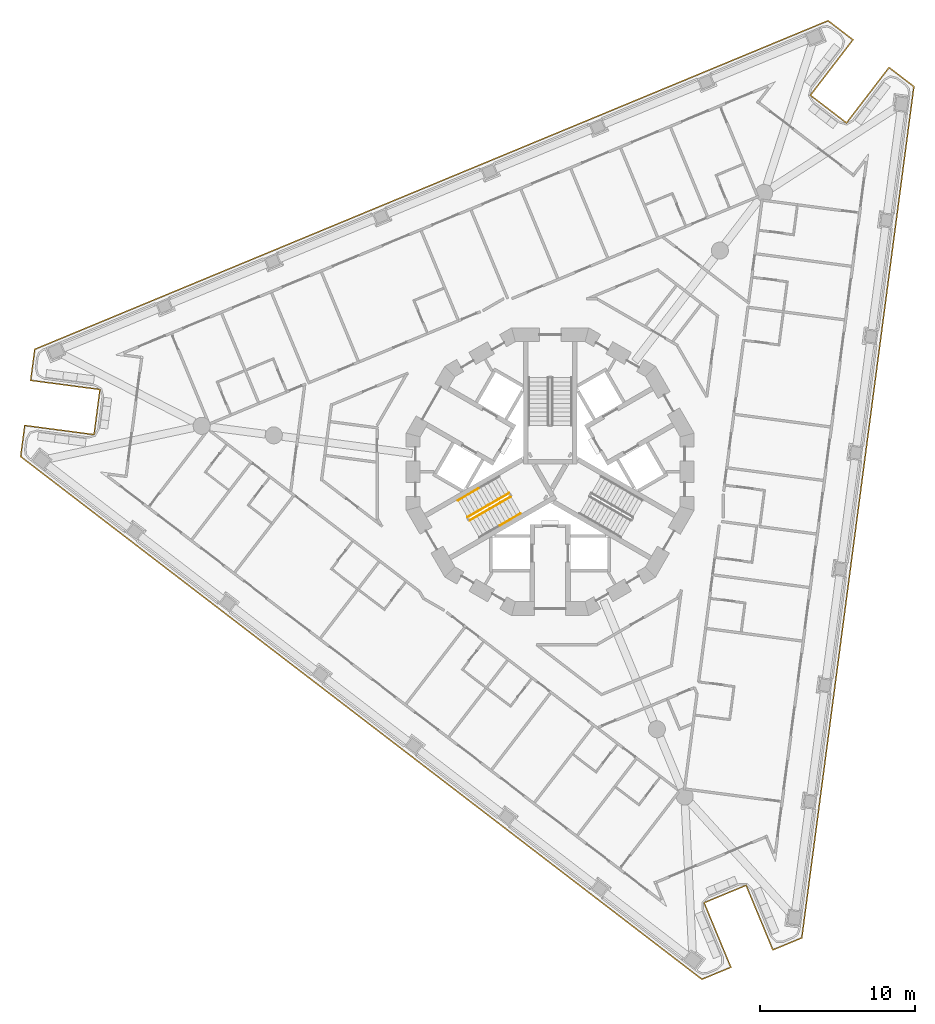
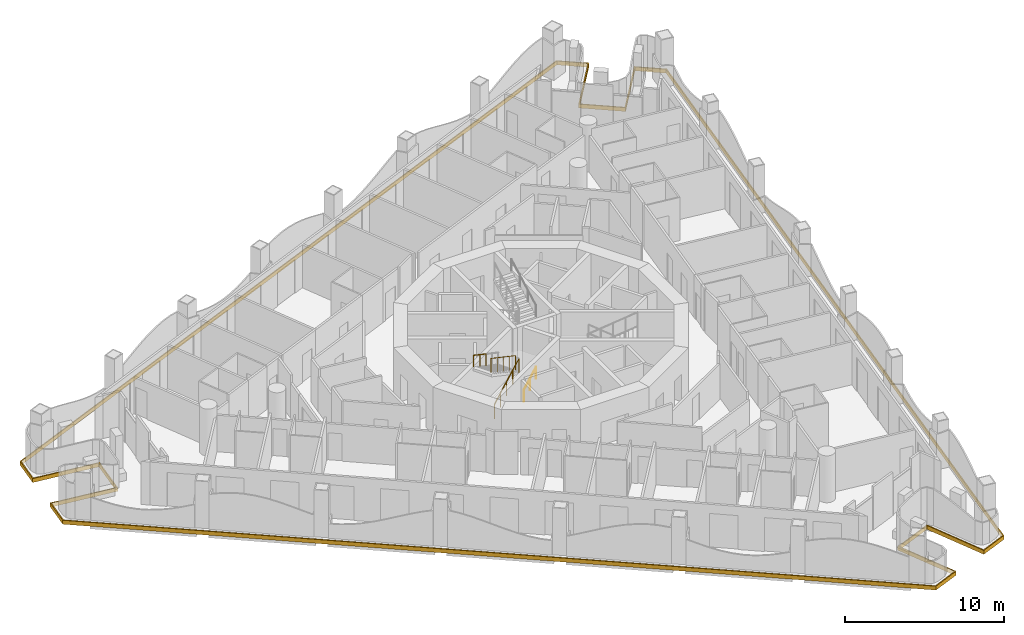
# One storey, part 12 of 17: 4 railings, 1 covering.
"""IFC4 building model written with IfcOpenShell, lengths in metres."""

import ifcopenshell
import ifcopenshell.guid

model = None  # the IFC model being written
_history = None  # IfcOwnerHistory: only IFC2X3 demands one
_inside = {}  # id of a spatial element -> (the spatial element, [elements in it])
_under = {}  # id of a project, library or spatial element -> (it, [spatial elements below it])
_declared = {}  # id of a project -> (the project, [libraries it declares])
_typed = {}  # id of a type object -> (the type object, [elements of that type])
_made_of = {}  # id of a material, layer set ... -> (it, [elements and type objects made of it])


def new_model(schema):
    """Start an empty IFC model of exactly this schema.

    Asked for "IFC4X3", IfcOpenShell would pick the latest addendum, in which some entities
    have other attributes; the version numbers below select the first issue.
    IFC2X3 requires an IfcOwnerHistory on every rooted entity: one is made here for all.
    """
    global model, _history
    if schema == "IFC4X3":
        model = ifcopenshell.file(schema_version=(4, 3, 0, 0))
    else:
        model = ifcopenshell.file(schema=schema)
    _inside.clear()
    _under.clear()
    _declared.clear()
    _typed.clear()
    _made_of.clear()
    _history = None
    if model.schema == "IFC2X3":
        org = make("IfcOrganization", Name="unknown")
        user = make(
            "IfcPersonAndOrganization",
            ThePerson=make("IfcPerson", FamilyName="unknown"),
            TheOrganization=org,
        )
        app = make(
            "IfcApplication",
            ApplicationDeveloper=org,
            Version="unknown",
            ApplicationFullName="unknown",
            ApplicationIdentifier="unknown",
        )
        _history = make(
            "IfcOwnerHistory",
            OwningUser=user,
            OwningApplication=app,
            ChangeAction="ADDED",
            CreationDate=0,
        )
    return model


def make(cls, **values):
    """One entity of the class cls with the attributes given. An attribute that is None is left unset."""
    return model.create_entity(
        cls, **{name: value for name, value in values.items() if value is not None}
    )


def rooted(cls, **values):
    """An entity with a GlobalId (a new one), such as an element, a storey or a relation."""
    return make(cls, GlobalId=ifcopenshell.guid.new(), OwnerHistory=_history, **values)


def si_unit(unit_type, name, prefix=None):
    """IfcSIUnit, for example si_unit("LENGTHUNIT", "METRE", prefix="MILLI")."""
    return make("IfcSIUnit", UnitType=unit_type, Prefix=prefix, Name=name)


def assignment(units):
    """IfcUnitAssignment: the units of a project."""
    return None if units is None else make("IfcUnitAssignment", Units=units)


def point(xyz):
    """IfcCartesianPoint."""
    return None if xyz is None else make("IfcCartesianPoint", Coordinates=xyz)


def direction(xyz):
    """IfcDirection."""
    return None if xyz is None else make("IfcDirection", DirectionRatios=xyz)


def frame(location, z_axis=None, x_axis=None):
    """IfcAxis2Placement3D, a coordinate frame: its origin and axes. An axis left out is left unset."""
    return make(
        "IfcAxis2Placement3D",
        Location=point(location),
        Axis=direction(z_axis),
        RefDirection=direction(x_axis),
    )


def frame_2d(location, x_axis=None):
    """IfcAxis2Placement2D, a coordinate frame in the plane: its origin and x axis."""
    return make(
        "IfcAxis2Placement2D", Location=point(location), RefDirection=direction(x_axis)
    )


def origin():
    """The frame at (0, 0, 0) with its axes left unset."""
    return frame((0.0, 0.0, 0.0))


def origin_2d():
    """The frame at (0, 0) in the plane with its x axis left unset."""
    return frame_2d((0.0, 0.0))


def place(relative_to, where):
    """IfcLocalPlacement: puts the frame where relative to a parent placement (None: the world)."""
    return make(
        "IfcLocalPlacement", PlacementRelTo=relative_to, RelativePlacement=where
    )


def context(
    kind, dimensions, precision=None, world=None, true_north=None, identifier=None
):
    """IfcGeometricRepresentationContext, for example the 3D "Model" context."""
    return make(
        "IfcGeometricRepresentationContext",
        ContextIdentifier=identifier,
        ContextType=kind,
        CoordinateSpaceDimension=dimensions,
        Precision=precision,
        WorldCoordinateSystem=world,
        TrueNorth=true_north,
    )


def subcontext(parent, identifier, kind, view, scale=None):
    """IfcGeometricRepresentationSubContext, for example "Body" below "Model"."""
    return make(
        "IfcGeometricRepresentationSubContext",
        ContextIdentifier=identifier,
        ContextType=kind,
        ParentContext=parent,
        TargetScale=scale,
        TargetView=view,
    )


def project(units=None, contexts=None):
    """IfcProject with its units and contexts."""
    return rooted(
        "IfcProject",
        Name="project",
        RepresentationContexts=contexts,
        UnitsInContext=assignment(units),
    )


def spatial(cls, under=None, at=None, **own):
    """A site, building, storey or space (cls), placed at a placement, below another one or the project."""
    s = rooted(cls, ObjectPlacement=at, **own)
    if under is not None:
        _under.setdefault(under.id(), (under, []))[1].append(s)
    return s


def polyline(points):
    """IfcPolyline through the points."""
    return make("IfcPolyline", Points=[point(p) for p in points])


def profile(cls, at=None, kind="AREA", **sizes):
    """A parametric profile (cls). Its sizes go by their IFC names, for example OverallWidth=200.0."""
    return make(cls, ProfileType=kind, Position=at, **sizes)


def circle(**sizes):
    """IfcCircleProfileDef."""
    return profile("IfcCircleProfileDef", **sizes)


def outline(outer, holes=None, kind="AREA"):
    """IfcArbitraryClosedProfileDef: a profile drawn as a closed curve; with holes, ...WithVoids."""
    if holes is None:
        return make("IfcArbitraryClosedProfileDef", ProfileType=kind, OuterCurve=outer)
    return make(
        "IfcArbitraryProfileDefWithVoids",
        ProfileType=kind,
        OuterCurve=outer,
        InnerCurves=holes,
    )


def extrude(swept, where, along, depth):
    """IfcExtrudedAreaSolid: the profile swept, set in the frame where, extruded along a direction by depth."""
    return make(
        "IfcExtrudedAreaSolid",
        SweptArea=swept,
        Position=where,
        ExtrudedDirection=direction(along),
        Depth=depth,
    )


def shape(context_of_items, identifier, shape_type, items):
    """IfcShapeRepresentation: the items that make up one representation, for example the "Body"."""
    return make(
        "IfcShapeRepresentation",
        ContextOfItems=context_of_items,
        RepresentationIdentifier=identifier,
        RepresentationType=shape_type,
        Items=items,
    )


def material(Name=None, Category=None):
    """IfcMaterial."""
    return make("IfcMaterial", Name=Name, Category=Category)


def layer(
    of_material, thickness, ventilated=None, Name=None, Category=None, Priority=None
):
    """IfcMaterialLayer: one layer of a wall or slab, of a material (None: an air gap)."""
    return make(
        "IfcMaterialLayer",
        Material=of_material,
        LayerThickness=thickness,
        IsVentilated=ventilated,
        Name=Name,
        Category=Category,
        Priority=Priority,
    )


def layer_set(layers, Name=None):
    """IfcMaterialLayerSet."""
    return make("IfcMaterialLayerSet", MaterialLayers=layers, LayerSetName=Name)


def made_of(thing, what):
    """Note that an element or type object is made of a material, layer set ...; save() writes the relation."""
    if what is not None:
        _made_of.setdefault(what.id(), (what, []))[1].append(thing)
    return thing


def type_object(cls, material=None, **own):
    """A type object (cls), such as IfcWallType, which elements share."""
    return made_of(rooted(cls, **own), material)


def element(
    cls,
    number,
    at=None,
    inside=None,
    cuts=None,
    type_object=None,
    material=None,
    context=None,
    identifier="Body",
    shape_type=None,
    held_by="IfcProductDefinitionShape",
    body=None,
    shapes=None,
    **own,
):
    """One element of the class cls, such as IfcWall. Its Tag is "e" and its number.

    at: its placement. inside: the storey or other place that contains it. cuts: it is an
    opening in that element (IfcRelVoidsElement). A single representation is given by context,
    identifier, shape_type and body (its items); several are given by shapes. held_by: the class
    of the entity that holds the representations. save() writes the other relations.
    """
    e = rooted(cls, Tag="e%d" % number, ObjectPlacement=at, **own)
    if body is not None:
        shapes = [shape(context, identifier, shape_type, body)]
    if shapes is not None:
        e.Representation = make(held_by, Representations=shapes)
    if inside is not None:
        _inside.setdefault(inside.id(), (inside, []))[1].append(e)
    if cuts is not None:
        rooted(
            "IfcRelVoidsElement", RelatingBuildingElement=cuts, RelatedOpeningElement=e
        )
    if type_object is not None:
        _typed.setdefault(type_object.id(), (type_object, []))[1].append(e)
    return made_of(e, material)


def aggregate(whole, parts):
    """IfcRelAggregates: a whole, such as a stair, and the parts it consists of."""
    return rooted("IfcRelAggregates", RelatingObject=whole, RelatedObjects=parts)


def save(model, path):
    """Write the relations noted so far, then the file.

    IfcRelAggregates (storeys below a building ...), IfcRelContainedInSpatialStructure (elements
    in a storey), IfcRelDefinesByType, IfcRelAssociatesMaterial and IfcRelDeclares: one each for
    every whole, place, type object, material and project.
    """
    for whole, parts in _under.values():
        aggregate(whole, parts)
    for where, things in _inside.values():
        rooted(
            "IfcRelContainedInSpatialStructure",
            RelatedElements=things,
            RelatingStructure=where,
        )
    for kind, things in _typed.values():
        rooted("IfcRelDefinesByType", RelatedObjects=things, RelatingType=kind)
    for what, things in _made_of.values():
        rooted("IfcRelAssociatesMaterial", RelatedObjects=things, RelatingMaterial=what)
    for by, libraries in _declared.values():
        rooted("IfcRelDeclares", RelatingContext=by, RelatedDefinitions=libraries)
    model.write(path)


model = new_model("IFC4")

# Units and contexts
model_context = context("Model", 3, precision=1e-05, world=origin(), true_north=direction((0.0, 1.0)))
body_context = subcontext(model_context, "Body", "Model", "MODEL_VIEW")
ifc_project = project(units=[si_unit("LENGTHUNIT", "METRE"), si_unit("AREAUNIT", "SQUARE_METRE"), si_unit("VOLUMEUNIT", "CUBIC_METRE"), si_unit("PLANEANGLEUNIT", "RADIAN"), si_unit("MASSUNIT", "GRAM", prefix="KILO")], contexts=[model_context])

# Site, building, storey
site_placement = place(None, origin())
site = spatial("IfcSite", under=ifc_project, at=site_placement, CompositionType="ELEMENT")
building_placement = place(site_placement, origin())
building = spatial("IfcBuilding", under=site, at=building_placement, Name="Trine Commons Tower", CompositionType="ELEMENT")
storey_placement = place(building_placement, frame((0.0, 0.0, 131.39990234375)))
storey = spatial("IfcBuildingStorey", under=building, at=storey_placement, Name="L33", CompositionType="ELEMENT", Elevation=131.39990234375)

# Covering
ifc_material_1 = material(Name="Limestone, honed", Category="masonry")
ifc_layer = layer(ifc_material_1, 0.074951171875)
ifc_layer_set = layer_set([ifc_layer], Name="Limestone, honed")
covering_type = type_object("IfcCoveringType", Name="Limestone spandrel panel 75", PredefinedType="CLADDING", material=ifc_layer_set)
covering_placement = place(storey_placement, frame((0.0, 0.0, -0.2998046875)))
element("IfcCovering", 1, at=covering_placement, inside=storey, type_object=covering_type, Name="Limestone spandrel panel 4-01", PredefinedType="CLADDING", context=body_context, shape_type="SweptSolid", body=[
    extrude(outline(polyline([(92.5986328125, 35.80810546875), (94.32080078125, 31.650634765625), (96.24462890625, 32.447509765625), (103.46923828125, 87.32421875), (101.817138671875, 88.591796875), (99.07763671875, 85.021728515625), (96.816650390625, 86.756591796875), (99.55615234375, 90.326904296875), (97.904052734375, 91.594482421875), (46.76708984375, 70.412841796875), (46.495361328125, 68.348388671875), (50.956787109375, 67.760986328125), (50.584716796875, 64.935302734375), (46.123291015625, 65.522705078125), (45.8515625, 63.4580078125), (89.763671875, 29.762939453125), (91.6875, 30.559814453125), (89.965576171875, 34.71728515625), (92.5986328125, 35.80810546875)]), holes=[polyline([(101.8310546875, 88.48681640625), (103.38916015625, 87.291015625), (96.17578125, 32.500244140625), (94.361328125, 31.74853515625), (92.63916015625, 35.906005859375), (89.867431640625, 34.758056640625), (91.589599609375, 30.6005859375), (89.77490234375, 29.848876953125), (45.931396484375, 63.4912109375), (46.187744140625, 65.4384765625), (50.6494140625, 64.85107421875), (51.041015625, 67.825439453125), (46.579345703125, 68.412841796875), (46.835693359375, 70.360107421875), (97.892578125, 91.508544921875), (99.450927734375, 90.31298828125), (96.71142578125, 86.742919921875), (99.091552734375, 84.91650390625), (101.8310546875, 88.48681640625)])]), origin(), (0.0, 0.0, 1.0), 0.2998046875),
])

# Railings
ifc_material_2 = material(Name="Stainless steel balustrade", Category="steel")
railing_type_1 = type_object("IfcRailingType", Name="Stair guard, steel balustrade 1100", PredefinedType="GUARDRAIL", material=ifc_material_2)
railing_1_placement = place(storey_placement, frame((74.80517578125, 59.3564453125, 0.150146484375)))
element("IfcRailing", 2, at=railing_1_placement, inside=storey, type_object=railing_type_1, Name="L33 ST2B stair guard 1", PredefinedType="GUARDRAIL", context=body_context, shape_type="SweptSolid", body=[
    extrude(circle(Radius=0.02392578125, at=origin_2d()), frame((0.0, 0.0, 1.076171875), z_axis=(0.76340495495, 0.440743040072, 0.472184759798), x_axis=(-0.499992328818, 0.866029832698, 0.0)), (0.0, 0.0, 1.0), 3.494140625),
    extrude(circle(Radius=0.02099609375, at=origin_2d()), origin(), (0.0, 0.0, 1.0), 1.052001953125),
    extrude(circle(Radius=0.02099609375, at=origin_2d()), frame((0.6669921875, 0.385009765625, 0.41259765625)), (0.0, 0.0, 1.0), 1.052001953125),
    extrude(circle(Radius=0.02099609375, at=origin_2d()), frame((1.333740234375, 0.77001953125, 0.824951171875)), (0.0, 0.0, 1.0), 1.052001953125),
    extrude(circle(Radius=0.02099609375, at=origin_2d()), frame((2.00048828125, 1.155029296875, 1.2373046875)), (0.0, 0.0, 1.0), 1.052001953125),
    extrude(circle(Radius=0.02099609375, at=origin_2d()), frame((2.66748046875, 1.5400390625, 1.64990234375)), (0.0, 0.0, 1.0), 1.052001953125),
])
railing_2_placement = place(storey_placement, frame((77.34765625, 61.113037109375, 1.9501953125)))
element("IfcRailing", 3, at=railing_2_placement, inside=storey, type_object=railing_type_1, Name="L33 ST2B stair guard 3", PredefinedType="GUARDRAIL", context=body_context, shape_type="SweptSolid", body=[
    extrude(circle(Radius=0.02392578125, at=origin_2d()), frame((0.0, 0.0, 1.076171875), z_axis=(-0.76340495495, -0.440743040072, 0.472184759798), x_axis=(0.499992328818, -0.866029832698, 0.0)), (0.0, 0.0, 1.0), 3.494140625),
    extrude(circle(Radius=0.02099609375, at=origin_2d()), origin(), (0.0, 0.0, 1.0), 1.052001953125),
    extrude(circle(Radius=0.02099609375, at=origin_2d()), frame((-0.6669921875, -0.385009765625, 0.41259765625)), (0.0, 0.0, 1.0), 1.052001953125),
    extrude(circle(Radius=0.02099609375, at=origin_2d()), frame((-1.333740234375, -0.77001953125, 0.824951171875)), (0.0, 0.0, 1.0), 1.052001953125),
    extrude(circle(Radius=0.02099609375, at=origin_2d()), frame((-2.00048828125, -1.155029296875, 1.2373046875)), (0.0, 0.0, 1.0), 1.052001953125),
    extrude(circle(Radius=0.02099609375, at=origin_2d()), frame((-2.66748046875, -1.5400390625, 1.64990234375)), (0.0, 0.0, 1.0), 1.052001953125),
])
ifc_material_3 = material(Name="Stainless steel handrail", Category="steel")
railing_type_2 = type_object("IfcRailingType", Name="Stair handrail, steel 900", PredefinedType="HANDRAIL", material=ifc_material_3)
railing_3_placement = place(storey_placement, frame((76.763916015625, 59.0439453125, 0.97509765625)))
element("IfcRailing", 4, at=railing_3_placement, inside=storey, type_object=railing_type_2, Name="L33 ST2B stair handrail 2", PredefinedType="HANDRAIL", context=body_context, shape_type="SweptSolid", body=[
    extrude(circle(Radius=0.02099609375, at=origin_2d()), frame((0.0, 0.0, 0.87890625), z_axis=(0.76340495495, 0.440743040072, 0.472184759798), x_axis=(-0.499992328818, 0.866029832698, 0.0)), (0.0, 0.0, 1.0), 1.7470703125),
    extrude(circle(Radius=0.01513671875, at=origin_2d()), origin(), (0.0, 0.0, 1.0), 0.85791015625),
    extrude(circle(Radius=0.01513671875, at=origin_2d()), frame((0.6669921875, 0.385009765625, 0.41259765625)), (0.0, 0.0, 1.0), 0.85791015625),
    extrude(circle(Radius=0.01513671875, at=origin_2d()), frame((1.333740234375, 0.77001953125, 0.824951171875)), (0.0, 0.0, 1.0), 0.85791015625),
])
railing_4_placement = place(storey_placement, frame((75.388916015625, 61.425537109375, 2.775146484375)))
element("IfcRailing", 5, at=railing_4_placement, inside=storey, type_object=railing_type_2, Name="L33 ST2B stair handrail 4", PredefinedType="HANDRAIL", context=body_context, shape_type="SweptSolid", body=[
    extrude(circle(Radius=0.02099609375, at=origin_2d()), frame((0.0, 0.0, 0.87890625), z_axis=(-0.76340495495, -0.440743040072, 0.472184759798), x_axis=(0.499992328818, -0.866029832698, 0.0)), (0.0, 0.0, 1.0), 1.7470703125),
    extrude(circle(Radius=0.01513671875, at=origin_2d()), origin(), (0.0, 0.0, 1.0), 0.85791015625),
    extrude(circle(Radius=0.01513671875, at=origin_2d()), frame((-0.6669921875, -0.385009765625, 0.41259765625)), (0.0, 0.0, 1.0), 0.85791015625),
    extrude(circle(Radius=0.01513671875, at=origin_2d()), frame((-1.333740234375, -0.77001953125, 0.824951171875)), (0.0, 0.0, 1.0), 0.85791015625),
])

save(model, "model.ifc")
